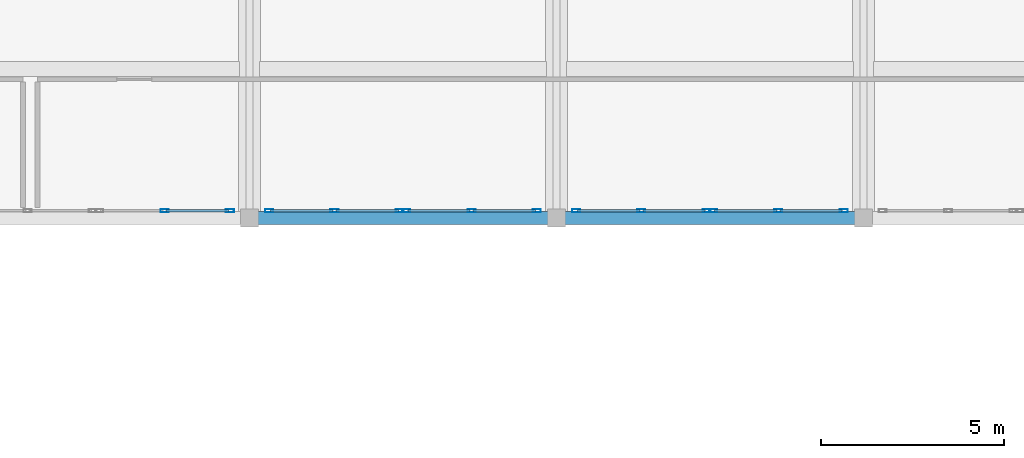
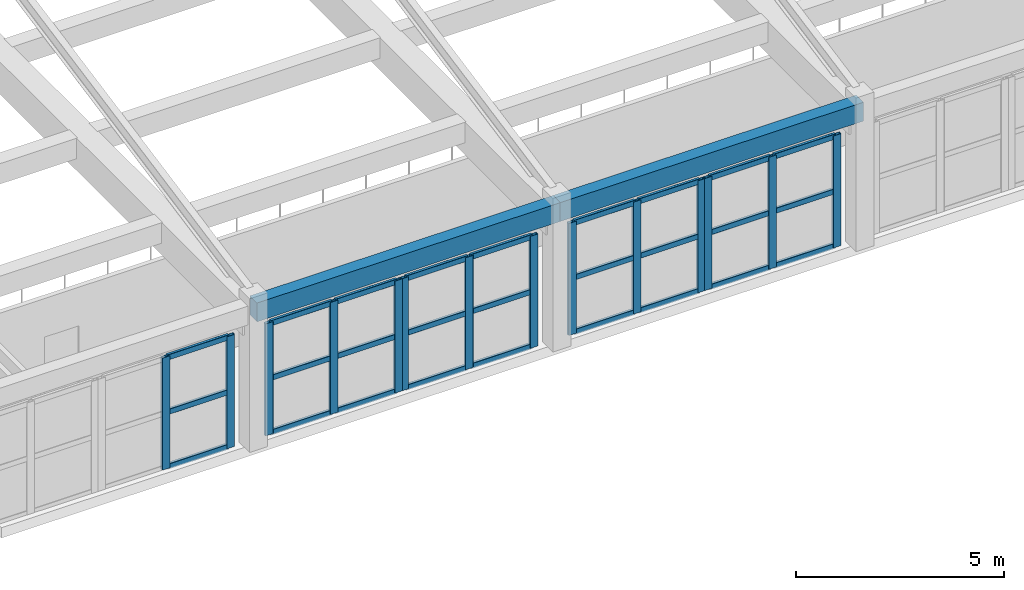
# One storey, part 27 of 91: 41 members, 2 beams, 5 elements without a shape of their own.
"""IFC4 building model written with IfcOpenShell, lengths in metres."""

from ifc_helpers import new_model, si_unit, direction, frame, origin, origin_2d, place, context, subcontext, project, spatial, rectangle, hollow_rectangle, extrude, material, layer, layer_set, material_profile, profile_set, type_object, element, aggregate, save


model = new_model("IFC4")

# Units and contexts
model_context = context("Model", 3, precision=1e-05, world=origin(), true_north=direction((0.0, 1.0)))
body_context = subcontext(model_context, "Body", "Model", "MODEL_VIEW")
ifc_project = project(units=[si_unit("LENGTHUNIT", "METRE"), si_unit("AREAUNIT", "SQUARE_METRE"), si_unit("VOLUMEUNIT", "CUBIC_METRE"), si_unit("PLANEANGLEUNIT", "RADIAN"), si_unit("MASSUNIT", "GRAM", prefix="KILO")], contexts=[model_context])

# Site, building, storey
site_placement = place(None, origin())
site = spatial("IfcSite", under=ifc_project, at=site_placement, CompositionType="ELEMENT")
building_placement = place(site_placement, origin())
building = spatial("IfcBuilding", under=site, at=building_placement, Name="Tarnavel Promenade Courthouse", CompositionType="ELEMENT")
storey_placement = place(building_placement, frame((0.0, 0.0, 9.89990234375)))
storey = spatial("IfcBuildingStorey", under=building, at=storey_placement, Name="L03", CompositionType="ELEMENT", Elevation=9.89990234375)

# Beams
ifc_material_1 = material(Name="Concrete C40/50", Category="concrete")
ifc_material_profile_1 = material_profile(ifc_material_1, rectangle(XDim=0.35009765625, YDim=0.550048828125, at=origin_2d()), Name="RC 350x550")
ifc_profile_set_1 = profile_set([ifc_material_profile_1], Name="Concrete C40/50")
beam_type = type_object("IfcBeamType", Name="Concrete C40/50 BM-RC-350x550 (RC 350x550)", PredefinedType="BEAM", material=ifc_profile_set_1)
beam_1_placement = place(storey_placement, frame((67.199951171875, 46.800048828125, 3.97021484375), z_axis=(1.0, 0.0, 0.0), x_axis=(0.0, 1.0, 0.0)))
element("IfcBeam", 1, at=beam_1_placement, inside=storey, type_object=beam_type, Name="L03 Primary Longitudinal Beam 1572", PredefinedType="BEAM", context=body_context, shape_type="SweptSolid", body=[
    extrude(rectangle(XDim=0.35009765625, YDim=0.550048828125, at=origin_2d()), origin(), (0.0, 0.0, 1.0), 8.400146484375),
])
beam_2_placement = place(storey_placement, frame((75.60009765625, 46.800048828125, 3.97021484375), z_axis=(1.0, 0.0, 0.0), x_axis=(0.0, 1.0, 0.0)))
element("IfcBeam", 2, at=beam_2_placement, inside=storey, type_object=beam_type, Name="L03 Primary Longitudinal Beam 1573", PredefinedType="BEAM", context=body_context, shape_type="SweptSolid", body=[
    extrude(rectangle(XDim=0.35009765625, YDim=0.550048828125, at=origin_2d()), origin(), (0.0, 0.0, 1.0), 8.39990234375),
])

# Curtain wall, members
ifc_material_2 = material(Name="Thermally Broken Anodised Aluminium Curtain Wall System", Category="aluminium")
ifc_layer = layer(ifc_material_2, 0.239990234375)
ifc_layer_set = layer_set([ifc_layer], Name="Thermally Broken Anodised Aluminium Curtain Wall System")
curtain_wall_type = type_object("IfcCurtainWallType", Name="Thermally Broken Aluminium Triple-Glazed Curtain Wall CW-WG-S", PredefinedType="NOTDEFINED", material=ifc_layer_set)
curtain_wall_1_placement = place(storey_placement, origin())
curtain_wall_1 = element("IfcCurtainWall", 3, at=curtain_wall_1_placement, inside=storey, type_object=curtain_wall_type, Name="L03 Winter-Garden South Solar Curtain Wall 088", PredefinedType="NOTDEFINED")
ifc_material_3 = material(Name="Thermally Broken Anodised Aluminium Frame", Category="aluminium")
ifc_material_profile_2 = material_profile(ifc_material_3, hollow_rectangle(XDim=0.090087890625, YDim=0.219970703125, WallThickness=0.0048828125, InnerFilletRadius=0.0048828125, OuterFilletRadius=0.010009765625, at=origin_2d()), Name="CWM 220x90x5")
ifc_profile_set_2 = profile_set([ifc_material_profile_2], Name="Thermally Broken Anodised Aluminium Frame")
member_type_1 = type_object("IfcMemberType", Name="Thermally Broken Anodised Aluminium CWM-175 (CWM 220x90x5)", PredefinedType="MULLION", material=ifc_profile_set_2)
member_1_placement = place(storey_placement, frame((64.875, 47.0, 0.0), z_axis=(0.0, 0.0, 1.0), x_axis=(0.0, 1.0, 0.0)))
member_1 = element("IfcMember", 4, at=member_1_placement, type_object=member_type_1, Name="CW-02 mullion 2", PredefinedType="MULLION", context=body_context, shape_type="SweptSolid", body=[
    extrude(hollow_rectangle(XDim=0.090087890625, YDim=0.219970703125, WallThickness=0.0048828125, InnerFilletRadius=0.0048828125, OuterFilletRadius=0.010009765625, at=origin_2d()), origin(), (0.0, 0.0, 1.0), 3.280029296875),
])
member_2_placement = place(storey_placement, frame((66.6650390625, 47.0, 0.0), z_axis=(0.0, 0.0, 1.0), x_axis=(0.0, 1.0, 0.0)))
member_2 = element("IfcMember", 5, at=member_2_placement, type_object=member_type_1, Name="CW-02 mullion 3", PredefinedType="MULLION", context=body_context, shape_type="SweptSolid", body=[
    extrude(hollow_rectangle(XDim=0.090087890625, YDim=0.219970703125, WallThickness=0.0048828125, InnerFilletRadius=0.0048828125, OuterFilletRadius=0.010009765625, at=origin_2d()), origin(), (0.0, 0.0, 1.0), 3.280029296875),
])

curtain_wall_2_placement = place(storey_placement, origin())
curtain_wall_2 = element("IfcCurtainWall", 6, at=curtain_wall_2_placement, inside=storey, type_object=curtain_wall_type, Name="L03 Winter-Garden South Solar Curtain Wall 089", PredefinedType="NOTDEFINED")
member_3_placement = place(storey_placement, frame((67.735107421875, 47.0, 0.0), z_axis=(0.0, 0.0, 1.0), x_axis=(0.0, 1.0, 0.0)))
member_3 = element("IfcMember", 7, at=member_3_placement, type_object=member_type_1, Name="CW-02 mullion 1", PredefinedType="MULLION", context=body_context, shape_type="SweptSolid", body=[
    extrude(hollow_rectangle(XDim=0.090087890625, YDim=0.219970703125, WallThickness=0.0048828125, InnerFilletRadius=0.0048828125, OuterFilletRadius=0.010009765625, at=origin_2d()), origin(), (0.0, 0.0, 1.0), 3.280029296875),
])
member_4_placement = place(storey_placement, frame((69.52490234375, 47.0, 0.0), z_axis=(0.0, 0.0, 1.0), x_axis=(0.0, 1.0, 0.0)))
member_4 = element("IfcMember", 8, at=member_4_placement, type_object=member_type_1, Name="CW-02 mullion 2", PredefinedType="MULLION", context=body_context, shape_type="SweptSolid", body=[
    extrude(hollow_rectangle(XDim=0.090087890625, YDim=0.219970703125, WallThickness=0.0048828125, InnerFilletRadius=0.0048828125, OuterFilletRadius=0.010009765625, at=origin_2d()), origin(), (0.0, 0.0, 1.0), 3.280029296875),
])
member_5_placement = place(storey_placement, frame((71.31494140625, 47.0, 0.0), z_axis=(0.0, 0.0, 1.0), x_axis=(0.0, 1.0, 0.0)))
member_5 = element("IfcMember", 9, at=member_5_placement, type_object=member_type_1, Name="CW-02 mullion 3", PredefinedType="MULLION", context=body_context, shape_type="SweptSolid", body=[
    extrude(hollow_rectangle(XDim=0.090087890625, YDim=0.219970703125, WallThickness=0.0048828125, InnerFilletRadius=0.0048828125, OuterFilletRadius=0.010009765625, at=origin_2d()), origin(), (0.0, 0.0, 1.0), 3.280029296875),
])

curtain_wall_3_placement = place(storey_placement, origin())
curtain_wall_3 = element("IfcCurtainWall", 10, at=curtain_wall_3_placement, inside=storey, type_object=curtain_wall_type, Name="L03 Winter-Garden South Solar Curtain Wall 090", PredefinedType="NOTDEFINED")
member_6_placement = place(storey_placement, frame((71.485107421875, 47.0, 0.0), z_axis=(0.0, 0.0, 1.0), x_axis=(0.0, 1.0, 0.0)))
member_6 = element("IfcMember", 11, at=member_6_placement, type_object=member_type_1, Name="CW-02 mullion 1", PredefinedType="MULLION", context=body_context, shape_type="SweptSolid", body=[
    extrude(hollow_rectangle(XDim=0.090087890625, YDim=0.219970703125, WallThickness=0.0048828125, InnerFilletRadius=0.0048828125, OuterFilletRadius=0.010009765625, at=origin_2d()), origin(), (0.0, 0.0, 1.0), 3.280029296875),
])
member_7_placement = place(storey_placement, frame((73.27490234375, 47.0, 0.0), z_axis=(0.0, 0.0, 1.0), x_axis=(0.0, 1.0, 0.0)))
member_7 = element("IfcMember", 12, at=member_7_placement, type_object=member_type_1, Name="CW-02 mullion 2", PredefinedType="MULLION", context=body_context, shape_type="SweptSolid", body=[
    extrude(hollow_rectangle(XDim=0.090087890625, YDim=0.219970703125, WallThickness=0.0048828125, InnerFilletRadius=0.0048828125, OuterFilletRadius=0.010009765625, at=origin_2d()), origin(), (0.0, 0.0, 1.0), 3.280029296875),
])
member_8_placement = place(storey_placement, frame((75.06494140625, 47.0, 0.0), z_axis=(0.0, 0.0, 1.0), x_axis=(0.0, 1.0, 0.0)))
member_8 = element("IfcMember", 13, at=member_8_placement, type_object=member_type_1, Name="CW-02 mullion 3", PredefinedType="MULLION", context=body_context, shape_type="SweptSolid", body=[
    extrude(hollow_rectangle(XDim=0.090087890625, YDim=0.219970703125, WallThickness=0.0048828125, InnerFilletRadius=0.0048828125, OuterFilletRadius=0.010009765625, at=origin_2d()), origin(), (0.0, 0.0, 1.0), 3.280029296875),
])

curtain_wall_4_placement = place(storey_placement, origin())
curtain_wall_4 = element("IfcCurtainWall", 14, at=curtain_wall_4_placement, inside=storey, type_object=curtain_wall_type, Name="L03 Winter-Garden South Solar Curtain Wall 091", PredefinedType="NOTDEFINED")
member_9_placement = place(storey_placement, frame((76.135009765625, 47.0, 0.0), z_axis=(0.0, 0.0, 1.0), x_axis=(0.0, 1.0, 0.0)))
member_9 = element("IfcMember", 15, at=member_9_placement, type_object=member_type_1, Name="CW-02 mullion 1", PredefinedType="MULLION", context=body_context, shape_type="SweptSolid", body=[
    extrude(hollow_rectangle(XDim=0.090087890625, YDim=0.219970703125, WallThickness=0.0048828125, InnerFilletRadius=0.0048828125, OuterFilletRadius=0.010009765625, at=origin_2d()), origin(), (0.0, 0.0, 1.0), 3.280029296875),
])
member_10_placement = place(storey_placement, frame((77.925048828125, 47.0, 0.0), z_axis=(0.0, 0.0, 1.0), x_axis=(0.0, 1.0, 0.0)))
member_10 = element("IfcMember", 16, at=member_10_placement, type_object=member_type_1, Name="CW-02 mullion 2", PredefinedType="MULLION", context=body_context, shape_type="SweptSolid", body=[
    extrude(hollow_rectangle(XDim=0.090087890625, YDim=0.219970703125, WallThickness=0.0048828125, InnerFilletRadius=0.0048828125, OuterFilletRadius=0.010009765625, at=origin_2d()), origin(), (0.0, 0.0, 1.0), 3.280029296875),
])
member_11_placement = place(storey_placement, frame((79.715087890625, 47.0, 0.0), z_axis=(0.0, 0.0, 1.0), x_axis=(0.0, 1.0, 0.0)))
member_11 = element("IfcMember", 17, at=member_11_placement, type_object=member_type_1, Name="CW-02 mullion 3", PredefinedType="MULLION", context=body_context, shape_type="SweptSolid", body=[
    extrude(hollow_rectangle(XDim=0.090087890625, YDim=0.219970703125, WallThickness=0.0048828125, InnerFilletRadius=0.0048828125, OuterFilletRadius=0.010009765625, at=origin_2d()), origin(), (0.0, 0.0, 1.0), 3.280029296875),
])

curtain_wall_5_placement = place(storey_placement, origin())
curtain_wall_5 = element("IfcCurtainWall", 18, at=curtain_wall_5_placement, inside=storey, type_object=curtain_wall_type, Name="L03 Winter-Garden South Solar Curtain Wall 092", PredefinedType="NOTDEFINED")
member_12_placement = place(storey_placement, frame((79.885009765625, 47.0, 0.0), z_axis=(0.0, 0.0, 1.0), x_axis=(0.0, 1.0, 0.0)))
member_12 = element("IfcMember", 19, at=member_12_placement, type_object=member_type_1, Name="CW-02 mullion 1", PredefinedType="MULLION", context=body_context, shape_type="SweptSolid", body=[
    extrude(hollow_rectangle(XDim=0.090087890625, YDim=0.219970703125, WallThickness=0.0048828125, InnerFilletRadius=0.0048828125, OuterFilletRadius=0.010009765625, at=origin_2d()), origin(), (0.0, 0.0, 1.0), 3.280029296875),
])
member_13_placement = place(storey_placement, frame((81.675048828125, 47.0, 0.0), z_axis=(0.0, 0.0, 1.0), x_axis=(0.0, 1.0, 0.0)))
member_13 = element("IfcMember", 20, at=member_13_placement, type_object=member_type_1, Name="CW-02 mullion 2", PredefinedType="MULLION", context=body_context, shape_type="SweptSolid", body=[
    extrude(hollow_rectangle(XDim=0.090087890625, YDim=0.219970703125, WallThickness=0.0048828125, InnerFilletRadius=0.0048828125, OuterFilletRadius=0.010009765625, at=origin_2d()), origin(), (0.0, 0.0, 1.0), 3.280029296875),
])
member_14_placement = place(storey_placement, frame((83.465087890625, 47.0, 0.0), z_axis=(0.0, 0.0, 1.0), x_axis=(0.0, 1.0, 0.0)))
member_14 = element("IfcMember", 21, at=member_14_placement, type_object=member_type_1, Name="CW-02 mullion 3", PredefinedType="MULLION", context=body_context, shape_type="SweptSolid", body=[
    extrude(hollow_rectangle(XDim=0.090087890625, YDim=0.219970703125, WallThickness=0.0048828125, InnerFilletRadius=0.0048828125, OuterFilletRadius=0.010009765625, at=origin_2d()), origin(), (0.0, 0.0, 1.0), 3.280029296875),
])

# Member
ifc_material_profile_3 = material_profile(ifc_material_3, hollow_rectangle(XDim=0.080078125, YDim=0.159912109375, WallThickness=0.0048828125, InnerFilletRadius=0.0048828125, OuterFilletRadius=0.010009765625, at=origin_2d()), Name="CWT 160x80x5")
ifc_profile_set_3 = profile_set([ifc_material_profile_3], Name="Thermally Broken Anodised Aluminium Frame")
member_type_2 = type_object("IfcMemberType", Name="Thermally Broken Anodised Aluminium CWT-145 (CWT 160x80x5)", PredefinedType="USERDEFINED", material=ifc_profile_set_3)
member_15_placement = place(storey_placement, frame((64.919921875, 47.0, 0.0400390625), z_axis=(1.0, 0.0, 0.0), x_axis=(0.0, 1.0, 0.0)))
member_15 = element("IfcMember", 22, at=member_15_placement, type_object=member_type_2, Name="CW-02 transom 2.1", ObjectType="TRANSOM", PredefinedType="USERDEFINED", context=body_context, shape_type="SweptSolid", body=[
    extrude(hollow_rectangle(XDim=0.080078125, YDim=0.159912109375, WallThickness=0.0048828125, InnerFilletRadius=0.0048828125, OuterFilletRadius=0.010009765625, at=origin_2d()), origin(), (0.0, 0.0, 1.0), 1.7001953125),
])

member_16_placement = place(storey_placement, frame((64.919921875, 47.0, 1.64013671875), z_axis=(1.0, 0.0, 0.0), x_axis=(0.0, 1.0, 0.0)))
member_16 = element("IfcMember", 23, at=member_16_placement, type_object=member_type_2, Name="CW-02 transom 2.2", ObjectType="TRANSOM", PredefinedType="USERDEFINED", context=body_context, shape_type="SweptSolid", body=[
    extrude(hollow_rectangle(XDim=0.080078125, YDim=0.159912109375, WallThickness=0.0048828125, InnerFilletRadius=0.0048828125, OuterFilletRadius=0.010009765625, at=origin_2d()), origin(), (0.0, 0.0, 1.0), 1.7001953125),
])

member_17_placement = place(storey_placement, frame((64.919921875, 47.0, 3.239990234375), z_axis=(1.0, 0.0, 0.0), x_axis=(0.0, 1.0, 0.0)))
member_17 = element("IfcMember", 24, at=member_17_placement, type_object=member_type_2, Name="CW-02 transom 2.3", ObjectType="TRANSOM", PredefinedType="USERDEFINED", context=body_context, shape_type="SweptSolid", body=[
    extrude(hollow_rectangle(XDim=0.080078125, YDim=0.159912109375, WallThickness=0.0048828125, InnerFilletRadius=0.0048828125, OuterFilletRadius=0.010009765625, at=origin_2d()), origin(), (0.0, 0.0, 1.0), 1.7001953125),
])

aggregate(curtain_wall_1, [member_1, member_2, member_15, member_16, member_17])

member_18_placement = place(storey_placement, frame((67.780029296875, 47.0, 0.0400390625), z_axis=(1.0, 0.0, 0.0), x_axis=(0.0, 1.0, 0.0)))
member_18 = element("IfcMember", 25, at=member_18_placement, type_object=member_type_2, Name="CW-02 transom 1.1", ObjectType="TRANSOM", PredefinedType="USERDEFINED", context=body_context, shape_type="SweptSolid", body=[
    extrude(hollow_rectangle(XDim=0.080078125, YDim=0.159912109375, WallThickness=0.0048828125, InnerFilletRadius=0.0048828125, OuterFilletRadius=0.010009765625, at=origin_2d()), origin(), (0.0, 0.0, 1.0), 1.699951171875),
])

member_19_placement = place(storey_placement, frame((67.780029296875, 47.0, 1.64013671875), z_axis=(1.0, 0.0, 0.0), x_axis=(0.0, 1.0, 0.0)))
member_19 = element("IfcMember", 26, at=member_19_placement, type_object=member_type_2, Name="CW-02 transom 1.2", ObjectType="TRANSOM", PredefinedType="USERDEFINED", context=body_context, shape_type="SweptSolid", body=[
    extrude(hollow_rectangle(XDim=0.080078125, YDim=0.159912109375, WallThickness=0.0048828125, InnerFilletRadius=0.0048828125, OuterFilletRadius=0.010009765625, at=origin_2d()), origin(), (0.0, 0.0, 1.0), 1.699951171875),
])

member_20_placement = place(storey_placement, frame((67.780029296875, 47.0, 3.239990234375), z_axis=(1.0, 0.0, 0.0), x_axis=(0.0, 1.0, 0.0)))
member_20 = element("IfcMember", 27, at=member_20_placement, type_object=member_type_2, Name="CW-02 transom 1.3", ObjectType="TRANSOM", PredefinedType="USERDEFINED", context=body_context, shape_type="SweptSolid", body=[
    extrude(hollow_rectangle(XDim=0.080078125, YDim=0.159912109375, WallThickness=0.0048828125, InnerFilletRadius=0.0048828125, OuterFilletRadius=0.010009765625, at=origin_2d()), origin(), (0.0, 0.0, 1.0), 1.699951171875),
])

member_21_placement = place(storey_placement, frame((69.570068359375, 47.0, 0.0400390625), z_axis=(1.0, 0.0, 0.0), x_axis=(0.0, 1.0, 0.0)))
member_21 = element("IfcMember", 28, at=member_21_placement, type_object=member_type_2, Name="CW-02 transom 2.1", ObjectType="TRANSOM", PredefinedType="USERDEFINED", context=body_context, shape_type="SweptSolid", body=[
    extrude(hollow_rectangle(XDim=0.080078125, YDim=0.159912109375, WallThickness=0.0048828125, InnerFilletRadius=0.0048828125, OuterFilletRadius=0.010009765625, at=origin_2d()), origin(), (0.0, 0.0, 1.0), 1.699951171875),
])

member_22_placement = place(storey_placement, frame((69.570068359375, 47.0, 1.64013671875), z_axis=(1.0, 0.0, 0.0), x_axis=(0.0, 1.0, 0.0)))
member_22 = element("IfcMember", 29, at=member_22_placement, type_object=member_type_2, Name="CW-02 transom 2.2", ObjectType="TRANSOM", PredefinedType="USERDEFINED", context=body_context, shape_type="SweptSolid", body=[
    extrude(hollow_rectangle(XDim=0.080078125, YDim=0.159912109375, WallThickness=0.0048828125, InnerFilletRadius=0.0048828125, OuterFilletRadius=0.010009765625, at=origin_2d()), origin(), (0.0, 0.0, 1.0), 1.699951171875),
])

member_23_placement = place(storey_placement, frame((69.570068359375, 47.0, 3.239990234375), z_axis=(1.0, 0.0, 0.0), x_axis=(0.0, 1.0, 0.0)))
member_23 = element("IfcMember", 30, at=member_23_placement, type_object=member_type_2, Name="CW-02 transom 2.3", ObjectType="TRANSOM", PredefinedType="USERDEFINED", context=body_context, shape_type="SweptSolid", body=[
    extrude(hollow_rectangle(XDim=0.080078125, YDim=0.159912109375, WallThickness=0.0048828125, InnerFilletRadius=0.0048828125, OuterFilletRadius=0.010009765625, at=origin_2d()), origin(), (0.0, 0.0, 1.0), 1.699951171875),
])

aggregate(curtain_wall_2, [member_3, member_4, member_5, member_18, member_19, member_20, member_21, member_22, member_23])

member_24_placement = place(storey_placement, frame((71.530029296875, 47.0, 0.0400390625), z_axis=(1.0, 0.0, 0.0), x_axis=(0.0, 1.0, 0.0)))
member_24 = element("IfcMember", 31, at=member_24_placement, type_object=member_type_2, Name="CW-02 transom 1.1", ObjectType="TRANSOM", PredefinedType="USERDEFINED", context=body_context, shape_type="SweptSolid", body=[
    extrude(hollow_rectangle(XDim=0.080078125, YDim=0.159912109375, WallThickness=0.0048828125, InnerFilletRadius=0.0048828125, OuterFilletRadius=0.010009765625, at=origin_2d()), origin(), (0.0, 0.0, 1.0), 1.699951171875),
])

member_25_placement = place(storey_placement, frame((71.530029296875, 47.0, 1.64013671875), z_axis=(1.0, 0.0, 0.0), x_axis=(0.0, 1.0, 0.0)))
member_25 = element("IfcMember", 32, at=member_25_placement, type_object=member_type_2, Name="CW-02 transom 1.2", ObjectType="TRANSOM", PredefinedType="USERDEFINED", context=body_context, shape_type="SweptSolid", body=[
    extrude(hollow_rectangle(XDim=0.080078125, YDim=0.159912109375, WallThickness=0.0048828125, InnerFilletRadius=0.0048828125, OuterFilletRadius=0.010009765625, at=origin_2d()), origin(), (0.0, 0.0, 1.0), 1.699951171875),
])

member_26_placement = place(storey_placement, frame((71.530029296875, 47.0, 3.239990234375), z_axis=(1.0, 0.0, 0.0), x_axis=(0.0, 1.0, 0.0)))
member_26 = element("IfcMember", 33, at=member_26_placement, type_object=member_type_2, Name="CW-02 transom 1.3", ObjectType="TRANSOM", PredefinedType="USERDEFINED", context=body_context, shape_type="SweptSolid", body=[
    extrude(hollow_rectangle(XDim=0.080078125, YDim=0.159912109375, WallThickness=0.0048828125, InnerFilletRadius=0.0048828125, OuterFilletRadius=0.010009765625, at=origin_2d()), origin(), (0.0, 0.0, 1.0), 1.699951171875),
])

member_27_placement = place(storey_placement, frame((73.320068359375, 47.0, 0.0400390625), z_axis=(1.0, 0.0, 0.0), x_axis=(0.0, 1.0, 0.0)))
member_27 = element("IfcMember", 34, at=member_27_placement, type_object=member_type_2, Name="CW-02 transom 2.1", ObjectType="TRANSOM", PredefinedType="USERDEFINED", context=body_context, shape_type="SweptSolid", body=[
    extrude(hollow_rectangle(XDim=0.080078125, YDim=0.159912109375, WallThickness=0.0048828125, InnerFilletRadius=0.0048828125, OuterFilletRadius=0.010009765625, at=origin_2d()), origin(), (0.0, 0.0, 1.0), 1.699951171875),
])

member_28_placement = place(storey_placement, frame((73.320068359375, 47.0, 1.64013671875), z_axis=(1.0, 0.0, 0.0), x_axis=(0.0, 1.0, 0.0)))
member_28 = element("IfcMember", 35, at=member_28_placement, type_object=member_type_2, Name="CW-02 transom 2.2", ObjectType="TRANSOM", PredefinedType="USERDEFINED", context=body_context, shape_type="SweptSolid", body=[
    extrude(hollow_rectangle(XDim=0.080078125, YDim=0.159912109375, WallThickness=0.0048828125, InnerFilletRadius=0.0048828125, OuterFilletRadius=0.010009765625, at=origin_2d()), origin(), (0.0, 0.0, 1.0), 1.699951171875),
])

member_29_placement = place(storey_placement, frame((73.320068359375, 47.0, 3.239990234375), z_axis=(1.0, 0.0, 0.0), x_axis=(0.0, 1.0, 0.0)))
member_29 = element("IfcMember", 36, at=member_29_placement, type_object=member_type_2, Name="CW-02 transom 2.3", ObjectType="TRANSOM", PredefinedType="USERDEFINED", context=body_context, shape_type="SweptSolid", body=[
    extrude(hollow_rectangle(XDim=0.080078125, YDim=0.159912109375, WallThickness=0.0048828125, InnerFilletRadius=0.0048828125, OuterFilletRadius=0.010009765625, at=origin_2d()), origin(), (0.0, 0.0, 1.0), 1.699951171875),
])

aggregate(curtain_wall_3, [member_6, member_7, member_8, member_24, member_25, member_26, member_27, member_28, member_29])

member_30_placement = place(storey_placement, frame((76.179931640625, 47.0, 0.0400390625), z_axis=(1.0, 0.0, 0.0), x_axis=(0.0, 1.0, 0.0)))
member_30 = element("IfcMember", 37, at=member_30_placement, type_object=member_type_2, Name="CW-02 transom 1.1", ObjectType="TRANSOM", PredefinedType="USERDEFINED", context=body_context, shape_type="SweptSolid", body=[
    extrude(hollow_rectangle(XDim=0.080078125, YDim=0.159912109375, WallThickness=0.0048828125, InnerFilletRadius=0.0048828125, OuterFilletRadius=0.010009765625, at=origin_2d()), origin(), (0.0, 0.0, 1.0), 1.699951171875),
])

member_31_placement = place(storey_placement, frame((76.179931640625, 47.0, 1.64013671875), z_axis=(1.0, 0.0, 0.0), x_axis=(0.0, 1.0, 0.0)))
member_31 = element("IfcMember", 38, at=member_31_placement, type_object=member_type_2, Name="CW-02 transom 1.2", ObjectType="TRANSOM", PredefinedType="USERDEFINED", context=body_context, shape_type="SweptSolid", body=[
    extrude(hollow_rectangle(XDim=0.080078125, YDim=0.159912109375, WallThickness=0.0048828125, InnerFilletRadius=0.0048828125, OuterFilletRadius=0.010009765625, at=origin_2d()), origin(), (0.0, 0.0, 1.0), 1.699951171875),
])

member_32_placement = place(storey_placement, frame((76.179931640625, 47.0, 3.239990234375), z_axis=(1.0, 0.0, 0.0), x_axis=(0.0, 1.0, 0.0)))
member_32 = element("IfcMember", 39, at=member_32_placement, type_object=member_type_2, Name="CW-02 transom 1.3", ObjectType="TRANSOM", PredefinedType="USERDEFINED", context=body_context, shape_type="SweptSolid", body=[
    extrude(hollow_rectangle(XDim=0.080078125, YDim=0.159912109375, WallThickness=0.0048828125, InnerFilletRadius=0.0048828125, OuterFilletRadius=0.010009765625, at=origin_2d()), origin(), (0.0, 0.0, 1.0), 1.699951171875),
])

member_33_placement = place(storey_placement, frame((77.969970703125, 47.0, 0.0400390625), z_axis=(1.0, 0.0, 0.0), x_axis=(0.0, 1.0, 0.0)))
member_33 = element("IfcMember", 40, at=member_33_placement, type_object=member_type_2, Name="CW-02 transom 2.1", ObjectType="TRANSOM", PredefinedType="USERDEFINED", context=body_context, shape_type="SweptSolid", body=[
    extrude(hollow_rectangle(XDim=0.080078125, YDim=0.159912109375, WallThickness=0.0048828125, InnerFilletRadius=0.0048828125, OuterFilletRadius=0.010009765625, at=origin_2d()), origin(), (0.0, 0.0, 1.0), 1.699951171875),
])

member_34_placement = place(storey_placement, frame((77.969970703125, 47.0, 1.64013671875), z_axis=(1.0, 0.0, 0.0), x_axis=(0.0, 1.0, 0.0)))
member_34 = element("IfcMember", 41, at=member_34_placement, type_object=member_type_2, Name="CW-02 transom 2.2", ObjectType="TRANSOM", PredefinedType="USERDEFINED", context=body_context, shape_type="SweptSolid", body=[
    extrude(hollow_rectangle(XDim=0.080078125, YDim=0.159912109375, WallThickness=0.0048828125, InnerFilletRadius=0.0048828125, OuterFilletRadius=0.010009765625, at=origin_2d()), origin(), (0.0, 0.0, 1.0), 1.699951171875),
])

member_35_placement = place(storey_placement, frame((77.969970703125, 47.0, 3.239990234375), z_axis=(1.0, 0.0, 0.0), x_axis=(0.0, 1.0, 0.0)))
member_35 = element("IfcMember", 42, at=member_35_placement, type_object=member_type_2, Name="CW-02 transom 2.3", ObjectType="TRANSOM", PredefinedType="USERDEFINED", context=body_context, shape_type="SweptSolid", body=[
    extrude(hollow_rectangle(XDim=0.080078125, YDim=0.159912109375, WallThickness=0.0048828125, InnerFilletRadius=0.0048828125, OuterFilletRadius=0.010009765625, at=origin_2d()), origin(), (0.0, 0.0, 1.0), 1.699951171875),
])

aggregate(curtain_wall_4, [member_9, member_10, member_11, member_30, member_31, member_32, member_33, member_34, member_35])

member_36_placement = place(storey_placement, frame((79.929931640625, 47.0, 0.0400390625), z_axis=(1.0, 0.0, 0.0), x_axis=(0.0, 1.0, 0.0)))
member_36 = element("IfcMember", 43, at=member_36_placement, type_object=member_type_2, Name="CW-02 transom 1.1", ObjectType="TRANSOM", PredefinedType="USERDEFINED", context=body_context, shape_type="SweptSolid", body=[
    extrude(hollow_rectangle(XDim=0.080078125, YDim=0.159912109375, WallThickness=0.0048828125, InnerFilletRadius=0.0048828125, OuterFilletRadius=0.010009765625, at=origin_2d()), origin(), (0.0, 0.0, 1.0), 1.699951171875),
])

member_37_placement = place(storey_placement, frame((79.929931640625, 47.0, 1.64013671875), z_axis=(1.0, 0.0, 0.0), x_axis=(0.0, 1.0, 0.0)))
member_37 = element("IfcMember", 44, at=member_37_placement, type_object=member_type_2, Name="CW-02 transom 1.2", ObjectType="TRANSOM", PredefinedType="USERDEFINED", context=body_context, shape_type="SweptSolid", body=[
    extrude(hollow_rectangle(XDim=0.080078125, YDim=0.159912109375, WallThickness=0.0048828125, InnerFilletRadius=0.0048828125, OuterFilletRadius=0.010009765625, at=origin_2d()), origin(), (0.0, 0.0, 1.0), 1.699951171875),
])

member_38_placement = place(storey_placement, frame((79.929931640625, 47.0, 3.239990234375), z_axis=(1.0, 0.0, 0.0), x_axis=(0.0, 1.0, 0.0)))
member_38 = element("IfcMember", 45, at=member_38_placement, type_object=member_type_2, Name="CW-02 transom 1.3", ObjectType="TRANSOM", PredefinedType="USERDEFINED", context=body_context, shape_type="SweptSolid", body=[
    extrude(hollow_rectangle(XDim=0.080078125, YDim=0.159912109375, WallThickness=0.0048828125, InnerFilletRadius=0.0048828125, OuterFilletRadius=0.010009765625, at=origin_2d()), origin(), (0.0, 0.0, 1.0), 1.699951171875),
])

member_39_placement = place(storey_placement, frame((81.719970703125, 47.0, 0.0400390625), z_axis=(1.0, 0.0, 0.0), x_axis=(0.0, 1.0, 0.0)))
member_39 = element("IfcMember", 46, at=member_39_placement, type_object=member_type_2, Name="CW-02 transom 2.1", ObjectType="TRANSOM", PredefinedType="USERDEFINED", context=body_context, shape_type="SweptSolid", body=[
    extrude(hollow_rectangle(XDim=0.080078125, YDim=0.159912109375, WallThickness=0.0048828125, InnerFilletRadius=0.0048828125, OuterFilletRadius=0.010009765625, at=origin_2d()), origin(), (0.0, 0.0, 1.0), 1.699951171875),
])

member_40_placement = place(storey_placement, frame((81.719970703125, 47.0, 1.64013671875), z_axis=(1.0, 0.0, 0.0), x_axis=(0.0, 1.0, 0.0)))
member_40 = element("IfcMember", 47, at=member_40_placement, type_object=member_type_2, Name="CW-02 transom 2.2", ObjectType="TRANSOM", PredefinedType="USERDEFINED", context=body_context, shape_type="SweptSolid", body=[
    extrude(hollow_rectangle(XDim=0.080078125, YDim=0.159912109375, WallThickness=0.0048828125, InnerFilletRadius=0.0048828125, OuterFilletRadius=0.010009765625, at=origin_2d()), origin(), (0.0, 0.0, 1.0), 1.699951171875),
])

member_41_placement = place(storey_placement, frame((81.719970703125, 47.0, 3.239990234375), z_axis=(1.0, 0.0, 0.0), x_axis=(0.0, 1.0, 0.0)))
member_41 = element("IfcMember", 48, at=member_41_placement, type_object=member_type_2, Name="CW-02 transom 2.3", ObjectType="TRANSOM", PredefinedType="USERDEFINED", context=body_context, shape_type="SweptSolid", body=[
    extrude(hollow_rectangle(XDim=0.080078125, YDim=0.159912109375, WallThickness=0.0048828125, InnerFilletRadius=0.0048828125, OuterFilletRadius=0.010009765625, at=origin_2d()), origin(), (0.0, 0.0, 1.0), 1.699951171875),
])

aggregate(curtain_wall_5, [member_12, member_13, member_14, member_36, member_37, member_38, member_39, member_40, member_41])

save(model, "model.ifc")
